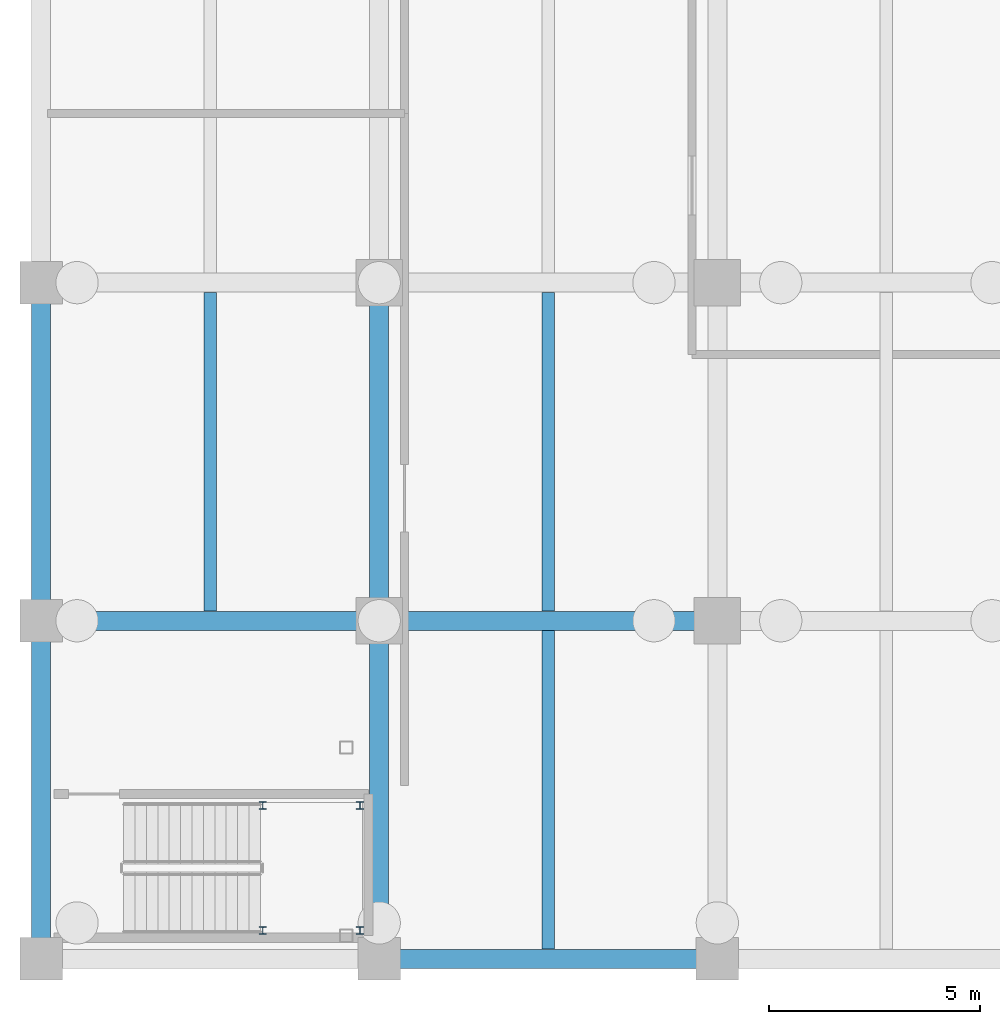
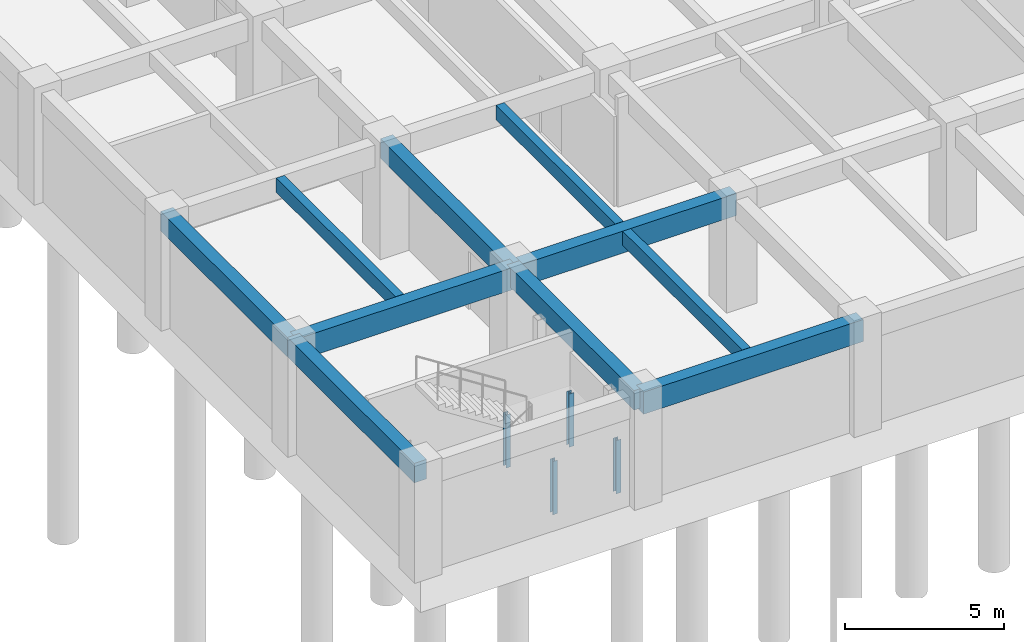
# One storey, part 6 of 15: 10 beams, 4 members.
"""IFC4 building model written with IfcOpenShell, lengths in metres."""

import ifcopenshell
import ifcopenshell.guid

model = None  # the IFC model being written
_history = None  # IfcOwnerHistory: only IFC2X3 demands one
_inside = {}  # id of a spatial element -> (the spatial element, [elements in it])
_under = {}  # id of a project, library or spatial element -> (it, [spatial elements below it])
_declared = {}  # id of a project -> (the project, [libraries it declares])
_typed = {}  # id of a type object -> (the type object, [elements of that type])
_made_of = {}  # id of a material, layer set ... -> (it, [elements and type objects made of it])


def new_model(schema):
    """Start an empty IFC model of exactly this schema.

    Asked for "IFC4X3", IfcOpenShell would pick the latest addendum, in which some entities
    have other attributes; the version numbers below select the first issue.
    IFC2X3 requires an IfcOwnerHistory on every rooted entity: one is made here for all.
    """
    global model, _history
    if schema == "IFC4X3":
        model = ifcopenshell.file(schema_version=(4, 3, 0, 0))
    else:
        model = ifcopenshell.file(schema=schema)
    _inside.clear()
    _under.clear()
    _declared.clear()
    _typed.clear()
    _made_of.clear()
    _history = None
    if model.schema == "IFC2X3":
        org = make("IfcOrganization", Name="unknown")
        user = make(
            "IfcPersonAndOrganization",
            ThePerson=make("IfcPerson", FamilyName="unknown"),
            TheOrganization=org,
        )
        app = make(
            "IfcApplication",
            ApplicationDeveloper=org,
            Version="unknown",
            ApplicationFullName="unknown",
            ApplicationIdentifier="unknown",
        )
        _history = make(
            "IfcOwnerHistory",
            OwningUser=user,
            OwningApplication=app,
            ChangeAction="ADDED",
            CreationDate=0,
        )
    return model


def make(cls, **values):
    """One entity of the class cls with the attributes given. An attribute that is None is left unset."""
    return model.create_entity(
        cls, **{name: value for name, value in values.items() if value is not None}
    )


def rooted(cls, **values):
    """An entity with a GlobalId (a new one), such as an element, a storey or a relation."""
    return make(cls, GlobalId=ifcopenshell.guid.new(), OwnerHistory=_history, **values)


def si_unit(unit_type, name, prefix=None):
    """IfcSIUnit, for example si_unit("LENGTHUNIT", "METRE", prefix="MILLI")."""
    return make("IfcSIUnit", UnitType=unit_type, Prefix=prefix, Name=name)


def assignment(units):
    """IfcUnitAssignment: the units of a project."""
    return None if units is None else make("IfcUnitAssignment", Units=units)


def point(xyz):
    """IfcCartesianPoint."""
    return None if xyz is None else make("IfcCartesianPoint", Coordinates=xyz)


def direction(xyz):
    """IfcDirection."""
    return None if xyz is None else make("IfcDirection", DirectionRatios=xyz)


def frame(location, z_axis=None, x_axis=None):
    """IfcAxis2Placement3D, a coordinate frame: its origin and axes. An axis left out is left unset."""
    return make(
        "IfcAxis2Placement3D",
        Location=point(location),
        Axis=direction(z_axis),
        RefDirection=direction(x_axis),
    )


def frame_2d(location, x_axis=None):
    """IfcAxis2Placement2D, a coordinate frame in the plane: its origin and x axis."""
    return make(
        "IfcAxis2Placement2D", Location=point(location), RefDirection=direction(x_axis)
    )


def origin():
    """The frame at (0, 0, 0) with its axes left unset."""
    return frame((0.0, 0.0, 0.0))


def origin_2d():
    """The frame at (0, 0) in the plane with its x axis left unset."""
    return frame_2d((0.0, 0.0))


def place(relative_to, where):
    """IfcLocalPlacement: puts the frame where relative to a parent placement (None: the world)."""
    return make(
        "IfcLocalPlacement", PlacementRelTo=relative_to, RelativePlacement=where
    )


def context(
    kind, dimensions, precision=None, world=None, true_north=None, identifier=None
):
    """IfcGeometricRepresentationContext, for example the 3D "Model" context."""
    return make(
        "IfcGeometricRepresentationContext",
        ContextIdentifier=identifier,
        ContextType=kind,
        CoordinateSpaceDimension=dimensions,
        Precision=precision,
        WorldCoordinateSystem=world,
        TrueNorth=true_north,
    )


def subcontext(parent, identifier, kind, view, scale=None):
    """IfcGeometricRepresentationSubContext, for example "Body" below "Model"."""
    return make(
        "IfcGeometricRepresentationSubContext",
        ContextIdentifier=identifier,
        ContextType=kind,
        ParentContext=parent,
        TargetScale=scale,
        TargetView=view,
    )


def project(units=None, contexts=None):
    """IfcProject with its units and contexts."""
    return rooted(
        "IfcProject",
        Name="project",
        RepresentationContexts=contexts,
        UnitsInContext=assignment(units),
    )


def spatial(cls, under=None, at=None, **own):
    """A site, building, storey or space (cls), placed at a placement, below another one or the project."""
    s = rooted(cls, ObjectPlacement=at, **own)
    if under is not None:
        _under.setdefault(under.id(), (under, []))[1].append(s)
    return s


def profile(cls, at=None, kind="AREA", **sizes):
    """A parametric profile (cls). Its sizes go by their IFC names, for example OverallWidth=200.0."""
    return make(cls, ProfileType=kind, Position=at, **sizes)


def rectangle(**sizes):
    """IfcRectangleProfileDef."""
    return profile("IfcRectangleProfileDef", **sizes)


def i_section(**sizes):
    """IfcIShapeProfileDef."""
    return profile("IfcIShapeProfileDef", **sizes)


def extrude(swept, where, along, depth):
    """IfcExtrudedAreaSolid: the profile swept, set in the frame where, extruded along a direction by depth."""
    return make(
        "IfcExtrudedAreaSolid",
        SweptArea=swept,
        Position=where,
        ExtrudedDirection=direction(along),
        Depth=depth,
    )


def shape(context_of_items, identifier, shape_type, items):
    """IfcShapeRepresentation: the items that make up one representation, for example the "Body"."""
    return make(
        "IfcShapeRepresentation",
        ContextOfItems=context_of_items,
        RepresentationIdentifier=identifier,
        RepresentationType=shape_type,
        Items=items,
    )


def material(Name=None, Category=None):
    """IfcMaterial."""
    return make("IfcMaterial", Name=Name, Category=Category)


def material_profile(
    of_material, cross_section, Name=None, Category=None, Priority=None
):
    """IfcMaterialProfile: a cross section and its material."""
    return make(
        "IfcMaterialProfile",
        Name=Name,
        Material=of_material,
        Profile=cross_section,
        Priority=Priority,
        Category=Category,
    )


def profile_set(profiles, Name=None, composite=None):
    """IfcMaterialProfileSet."""
    return make(
        "IfcMaterialProfileSet",
        Name=Name,
        MaterialProfiles=profiles,
        CompositeProfile=composite,
    )


def made_of(thing, what):
    """Note that an element or type object is made of a material, layer set ...; save() writes the relation."""
    if what is not None:
        _made_of.setdefault(what.id(), (what, []))[1].append(thing)
    return thing


def type_object(cls, material=None, **own):
    """A type object (cls), such as IfcWallType, which elements share."""
    return made_of(rooted(cls, **own), material)


def element(
    cls,
    number,
    at=None,
    inside=None,
    cuts=None,
    type_object=None,
    material=None,
    context=None,
    identifier="Body",
    shape_type=None,
    held_by="IfcProductDefinitionShape",
    body=None,
    shapes=None,
    **own,
):
    """One element of the class cls, such as IfcWall. Its Tag is "e" and its number.

    at: its placement. inside: the storey or other place that contains it. cuts: it is an
    opening in that element (IfcRelVoidsElement). A single representation is given by context,
    identifier, shape_type and body (its items); several are given by shapes. held_by: the class
    of the entity that holds the representations. save() writes the other relations.
    """
    e = rooted(cls, Tag="e%d" % number, ObjectPlacement=at, **own)
    if body is not None:
        shapes = [shape(context, identifier, shape_type, body)]
    if shapes is not None:
        e.Representation = make(held_by, Representations=shapes)
    if inside is not None:
        _inside.setdefault(inside.id(), (inside, []))[1].append(e)
    if cuts is not None:
        rooted(
            "IfcRelVoidsElement", RelatingBuildingElement=cuts, RelatedOpeningElement=e
        )
    if type_object is not None:
        _typed.setdefault(type_object.id(), (type_object, []))[1].append(e)
    return made_of(e, material)


def aggregate(whole, parts):
    """IfcRelAggregates: a whole, such as a stair, and the parts it consists of."""
    return rooted("IfcRelAggregates", RelatingObject=whole, RelatedObjects=parts)


def save(model, path):
    """Write the relations noted so far, then the file.

    IfcRelAggregates (storeys below a building ...), IfcRelContainedInSpatialStructure (elements
    in a storey), IfcRelDefinesByType, IfcRelAssociatesMaterial and IfcRelDeclares: one each for
    every whole, place, type object, material and project.
    """
    for whole, parts in _under.values():
        aggregate(whole, parts)
    for where, things in _inside.values():
        rooted(
            "IfcRelContainedInSpatialStructure",
            RelatedElements=things,
            RelatingStructure=where,
        )
    for kind, things in _typed.values():
        rooted("IfcRelDefinesByType", RelatedObjects=things, RelatingType=kind)
    for what, things in _made_of.values():
        rooted("IfcRelAssociatesMaterial", RelatedObjects=things, RelatingMaterial=what)
    for by, libraries in _declared.values():
        rooted("IfcRelDeclares", RelatingContext=by, RelatedDefinitions=libraries)
    model.write(path)


model = new_model("IFC4")

# Units and contexts
model_context = context("Model", 3, precision=1e-05, world=origin(), true_north=direction((0.0, 1.0)))
body_context = subcontext(model_context, "Body", "Model", "MODEL_VIEW")
ifc_project = project(units=[si_unit("LENGTHUNIT", "METRE"), si_unit("AREAUNIT", "SQUARE_METRE"), si_unit("VOLUMEUNIT", "CUBIC_METRE"), si_unit("PLANEANGLEUNIT", "RADIAN"), si_unit("MASSUNIT", "GRAM", prefix="KILO")], contexts=[model_context])

# Site, building, storey
site_placement = place(None, origin())
site = spatial("IfcSite", under=ifc_project, at=site_placement, CompositionType="ELEMENT")
building_placement = place(site_placement, origin())
building = spatial("IfcBuilding", under=site, at=building_placement, Name="Canggui Botanical Conservatory", CompositionType="ELEMENT")
storey_placement = place(building_placement, frame((0.0, 0.0, -9.0)))
storey = spatial("IfcBuildingStorey", under=building, at=storey_placement, Name="B2", CompositionType="ELEMENT", Elevation=-9.0)

# Beams
ifc_material_1 = material(Name="Concrete C35", Category="concrete")
ifc_material_profile_1 = material_profile(ifc_material_1, rectangle(XDim=0.300048828125, YDim=0.550048828125, at=origin_2d()), Name="RB 300x550")
ifc_profile_set_1 = profile_set([ifc_material_profile_1], Name="Concrete C35")
beam_type_1 = type_object("IfcBeamType", Name="BM-JST01", PredefinedType="JOIST", material=ifc_profile_set_1)
for number, where, z_axis, x_axis, name in (
    (1, (126.0, 34.22998046875, 3.945068359375), (0.0, 1.0, 0.0), (-1.0, 0.0, 0.0), "Secondary Floor Joist B2-1-2"),
    (2, (134.0, 26.22998046875, 3.945068359375), (0.0, 1.0, 0.0), (-1.0, 0.0, 0.0), "Secondary Floor Joist B2-2-1"),
    (3, (134.0, 34.22998046875, 3.945068359375), (0.0, 1.0, 0.0), (-1.0, 0.0, 0.0), "Secondary Floor Joist B2-2-2"),
):
    element("IfcBeam", number, at=place(storey_placement, frame(where, z_axis=z_axis, x_axis=x_axis)), inside=storey, type_object=beam_type_1, Name=name, PredefinedType="JOIST", context=body_context, shape_type="SweptSolid", body=[
        extrude(rectangle(XDim=0.300048828125, YDim=0.550048828125, at=origin_2d()), origin(), (0.0, 0.0, 1.0), 7.5400390625),
    ])
ifc_material_profile_2 = material_profile(ifc_material_1, rectangle(XDim=0.449951171875, YDim=0.85009765625, at=origin_2d()), Name="RB 450x850")
ifc_profile_set_2 = profile_set([ifc_material_profile_2], Name="Concrete C35")
beam_type_2 = type_object("IfcBeamType", Name="BM-KL05", PredefinedType="BEAM", material=ifc_profile_set_2)
for number, where, z_axis, x_axis, name in (
    (4, (130.0, 26.0, 3.794921875), (1.0, 0.0, 0.0), (0.0, 1.0, 0.0), "Frame Girder B2 Y26-2"),
    (5, (122.0, 34.0, 3.794921875), (1.0, 0.0, 0.0), (0.0, 1.0, 0.0), "Frame Girder B2 Y34-1"),
    (6, (130.0, 34.0, 3.794921875), (1.0, 0.0, 0.0), (0.0, 1.0, 0.0), "Frame Girder B2 Y34-2"),
):
    element("IfcBeam", number, at=place(storey_placement, frame(where, z_axis=z_axis, x_axis=x_axis)), inside=storey, type_object=beam_type_2, Name=name, PredefinedType="BEAM", context=body_context, shape_type="SweptSolid", body=[
        extrude(rectangle(XDim=0.449951171875, YDim=0.85009765625, at=origin_2d()), origin(), (0.0, 0.0, 1.0), 8.0),
    ])
ifc_material_profile_3 = material_profile(ifc_material_1, rectangle(XDim=0.449951171875, YDim=0.75, at=origin_2d()), Name="RB 450x750")
ifc_profile_set_3 = profile_set([ifc_material_profile_3], Name="Concrete C35")
beam_type_3 = type_object("IfcBeamType", Name="BM-KL06", PredefinedType="BEAM", material=ifc_profile_set_3)
for number, where, z_axis, x_axis, name in (
    (7, (122.0, 26.0, 3.844970703125), (0.0, 1.0, 0.0), (-1.0, 0.0, 0.0), "Frame Girder B2 X122-1"),
    (8, (122.0, 34.0, 3.844970703125), (0.0, 1.0, 0.0), (-1.0, 0.0, 0.0), "Frame Girder B2 X122-2"),
    (9, (130.0, 26.0, 3.844970703125), (0.0, 1.0, 0.0), (-1.0, 0.0, 0.0), "Frame Girder B2 X130-1"),
    (10, (130.0, 34.0, 3.844970703125), (0.0, 1.0, 0.0), (-1.0, 0.0, 0.0), "Frame Girder B2 X130-2"),
):
    element("IfcBeam", number, at=place(storey_placement, frame(where, z_axis=z_axis, x_axis=x_axis)), inside=storey, type_object=beam_type_3, Name=name, PredefinedType="BEAM", context=body_context, shape_type="SweptSolid", body=[
        extrude(rectangle(XDim=0.449951171875, YDim=0.75, at=origin_2d()), origin(), (0.0, 0.0, 1.0), 8.0),
    ])

# Members
ifc_material_2 = material(Name="Steel Q355B", Category="steel")
ifc_material_profile_4 = material_profile(ifc_material_2, i_section(OverallWidth=0.175048828125, OverallDepth=0.175048828125, WebThickness=0.007568359375, FlangeThickness=0.010986328125, FilletRadius=0.011962890625, at=origin_2d()), Name="HW 175x175x7.5x11")
ifc_profile_set_4 = profile_set([ifc_material_profile_4], Name="Steel Q355B")
member_type = type_object("IfcMemberType", Name="MEM-STR02", PredefinedType="STRINGER", material=ifc_profile_set_4)
for number, where, z_axis, x_axis, name in (
    (11, (127.244873046875, 26.6708984375, 0.0), (0.0, 0.0, 1.0), (1.0, 0.0, 0.0), "ST-G1 Landing Support Post B2-1.1"),
    (12, (129.544921875, 26.6708984375, 0.0), (0.0, 0.0, 1.0), (1.0, 0.0, 0.0), "ST-G1 Landing Support Post B2-1.2"),
    (13, (129.544921875, 29.62890625, 0.0), (0.0, 0.0, 1.0), (1.0, 0.0, 0.0), "ST-G1 Landing Support Post B2-1.3"),
    (14, (127.244873046875, 29.62890625, 0.0), (0.0, 0.0, 1.0), (1.0, 0.0, 0.0), "ST-G1 Landing Support Post B2-1.4"),
):
    element("IfcMember", number, at=place(storey_placement, frame(where, z_axis=z_axis, x_axis=x_axis)), inside=storey, type_object=member_type, Name=name, PredefinedType="POST", context=body_context, shape_type="SweptSolid", body=[
        extrude(i_section(OverallWidth=0.175048828125, OverallDepth=0.175048828125, WebThickness=0.007568359375, FlangeThickness=0.010986328125, FilletRadius=0.011962890625, at=origin_2d()), origin(), (0.0, 0.0, 1.0), 2.050048828125),
    ])

save(model, "model.ifc")
